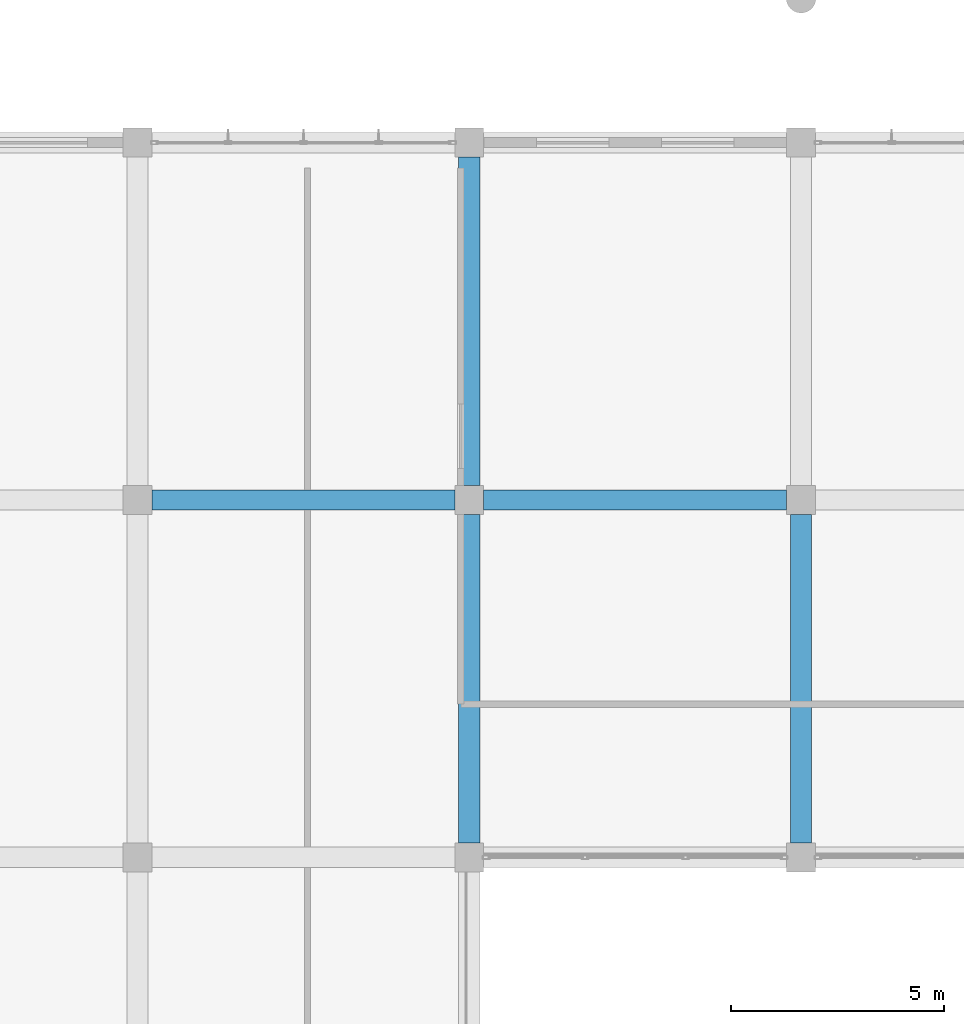
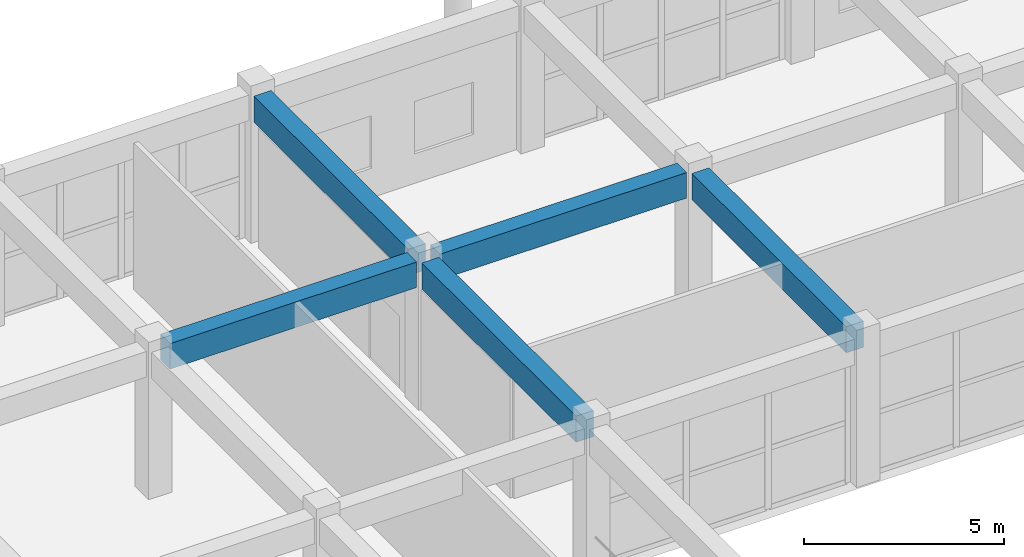
# One storey, part 108 of 175: 5 beams.
"""IFC4 building model written with IfcOpenShell, lengths in metres."""

from ifc_helpers import new_model, si_unit, direction, frame, origin, origin_2d, place, context, subcontext, project, spatial, rectangle, extrude, material, material_profile, profile_set, type_object, element, save


model = new_model("IFC4")

# Units and contexts
model_context = context("Model", 3, precision=1e-05, world=origin(), true_north=direction((0.0, 1.0)))
body_context = subcontext(model_context, "Body", "Model", "MODEL_VIEW")
ifc_project = project(units=[si_unit("LENGTHUNIT", "METRE"), si_unit("AREAUNIT", "SQUARE_METRE"), si_unit("VOLUMEUNIT", "CUBIC_METRE"), si_unit("PLANEANGLEUNIT", "RADIAN"), si_unit("MASSUNIT", "GRAM", prefix="KILO")], contexts=[model_context])

# Site, building, storey
site_placement = place(None, origin())
site = spatial("IfcSite", under=ifc_project, at=site_placement, CompositionType="ELEMENT")
building_placement = place(site_placement, origin())
building = spatial("IfcBuilding", under=site, at=building_placement, Name="Zizhar Promenade General Hospital", CompositionType="ELEMENT")
storey_placement = place(building_placement, frame((0.0, 0.0, 4.800048828125)))
storey = spatial("IfcBuildingStorey", under=building, at=storey_placement, Name="L01", CompositionType="ELEMENT", Elevation=4.800048828125)

# Beams
ifc_material_1 = material(Name="Concrete C35/45", Category="concrete")
ifc_material_profile_1 = material_profile(ifc_material_1, rectangle(XDim=0.47998046875, YDim=0.780029296875, at=origin_2d()))
ifc_profile_set_1 = profile_set([ifc_material_profile_1], Name="Concrete C35/45")
beam_type_1 = type_object("IfcBeamType", Name="BM-RC-480x780", PredefinedType="BEAM", material=ifc_profile_set_1)
beam_1_placement = place(storey_placement, frame((140.739990234375, 100.800048828125, 4.079833984375), z_axis=(1.0, 0.0, 0.0), x_axis=(0.0, 1.0, 0.0)))
element("IfcBeam", 1, at=beam_1_placement, inside=storey, type_object=beam_type_1, Name="Grid Beam X L01 (18-12)", PredefinedType="BEAM", context=body_context, shape_type="SweptSolid", body=[
    extrude(rectangle(XDim=0.47998046875, YDim=0.780029296875, at=origin_2d()), origin(), (0.0, 0.0, 1.0), 7.1201171875),
])
beam_2_placement = place(storey_placement, frame((148.5400390625, 100.800048828125, 4.079833984375), z_axis=(1.0, 0.0, 0.0), x_axis=(0.0, 1.0, 0.0)))
element("IfcBeam", 2, at=beam_2_placement, inside=storey, type_object=beam_type_1, Name="Grid Beam X L01 (19-12)", PredefinedType="BEAM", context=body_context, shape_type="SweptSolid", body=[
    extrude(rectangle(XDim=0.47998046875, YDim=0.780029296875, at=origin_2d()), origin(), (0.0, 0.0, 1.0), 7.119873046875),
])
ifc_material_2 = material(Name="Concrete C35/45", Category="concrete")
ifc_material_profile_2 = material_profile(ifc_material_2, rectangle(XDim=0.5, YDim=0.800048828125, at=origin_2d()))
ifc_profile_set_2 = profile_set([ifc_material_profile_2], Name="Concrete C35/45")
beam_type_2 = type_object("IfcBeamType", Name="BM-RC-500x800", PredefinedType="BEAM", material=ifc_profile_set_2)
beam_3_placement = place(storey_placement, frame((148.199951171875, 92.739990234375, 4.070068359375), z_axis=(0.0, 1.0, 0.0), x_axis=(-1.0, 0.0, 0.0)))
element("IfcBeam", 3, at=beam_3_placement, inside=storey, type_object=beam_type_2, Name="Grid Beam Y L01 (19-11)", PredefinedType="BEAM", context=body_context, shape_type="SweptSolid", body=[
    extrude(rectangle(XDim=0.5, YDim=0.800048828125, at=origin_2d()), origin(), (0.0, 0.0, 1.0), 7.719970703125),
])
beam_4_placement = place(storey_placement, frame((148.199951171875, 101.139892578125, 4.070068359375), z_axis=(0.0, 1.0, 0.0), x_axis=(-1.0, 0.0, 0.0)))
element("IfcBeam", 4, at=beam_4_placement, inside=storey, type_object=beam_type_2, Name="Grid Beam Y L01 (19-12)", PredefinedType="BEAM", context=body_context, shape_type="SweptSolid", body=[
    extrude(rectangle(XDim=0.5, YDim=0.800048828125, at=origin_2d()), origin(), (0.0, 0.0, 1.0), 7.72021484375),
])
beam_5_placement = place(storey_placement, frame((156.0, 92.739990234375, 4.070068359375), z_axis=(0.0, 1.0, 0.0), x_axis=(-1.0, 0.0, 0.0)))
element("IfcBeam", 5, at=beam_5_placement, inside=storey, type_object=beam_type_2, Name="Grid Beam Y L01 (20-11)", PredefinedType="BEAM", context=body_context, shape_type="SweptSolid", body=[
    extrude(rectangle(XDim=0.5, YDim=0.800048828125, at=origin_2d()), origin(), (0.0, 0.0, 1.0), 7.719970703125),
])

save(model, "model.ifc")
